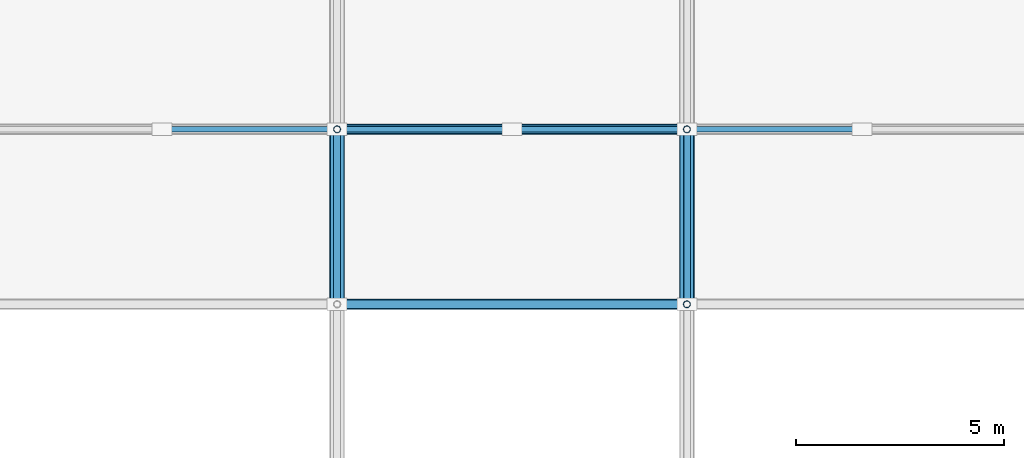
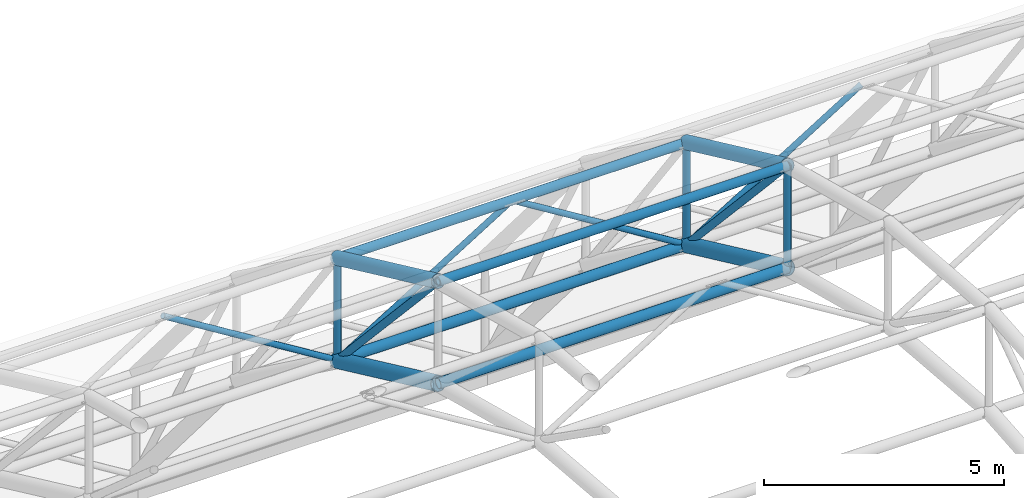
# One storey, part 36 of 103: 13 members, 4 beams.
"""IFC4 building model written with IfcOpenShell, lengths in metres."""

from ifc_helpers import new_model, si_unit, direction, frame, origin, origin_2d, place, context, subcontext, project, spatial, hollow_circle, extrude, material, material_profile, profile_set, type_object, element, save


model = new_model("IFC4")

# Units and contexts
model_context = context("Model", 3, precision=1e-05, world=origin(), true_north=direction((0.0, 1.0)))
body_context = subcontext(model_context, "Body", "Model", "MODEL_VIEW")
ifc_project = project(units=[si_unit("LENGTHUNIT", "METRE"), si_unit("AREAUNIT", "SQUARE_METRE"), si_unit("VOLUMEUNIT", "CUBIC_METRE"), si_unit("PLANEANGLEUNIT", "RADIAN"), si_unit("MASSUNIT", "GRAM", prefix="KILO")], contexts=[model_context])

# Site, building, storey
site_placement = place(None, origin())
site = spatial("IfcSite", under=ifc_project, at=site_placement, CompositionType="ELEMENT")
building_placement = place(site_placement, origin())
building = spatial("IfcBuilding", under=site, at=building_placement, Name="Varnapada Polytechnic", CompositionType="ELEMENT")
storey_placement = place(building_placement, frame((0.0, 0.0, 18.0)))
storey = spatial("IfcBuildingStorey", under=building, at=storey_placement, Name="L04", CompositionType="ELEMENT", Elevation=18.0)

# Members
ifc_material = material(Name="Steel S355", Category="steel")
ifc_material_profile_1 = material_profile(ifc_material, hollow_circle(Radius=0.122314453125, WallThickness=0.008056640625, at=origin_2d()), Name="CHS 244.5x8.0")
ifc_profile_set_1 = profile_set([ifc_material_profile_1], Name="Steel S355")
member_type_1 = type_object("IfcMemberType", Name="Vaulted space frame longitudinal bottom chord SFC-01 (CHS 244.5x8.0)", PredefinedType="CHORD", material=ifc_profile_set_1)
for number, where, z_axis, x_axis, name in (
    (1, (67.199951171875, 113.39990234375, 9.98193359375), (1.0, 0.0, 0.0), (0.0, 1.0, 0.0), "Vaulted space frame longitudinal bottom chord 3.8"),
    (2, (67.199951171875, 117.60009765625, 8.02783203125), (1.0, 0.0, 0.0), (0.0, 1.0, 0.0), "Vaulted space frame longitudinal bottom chord 3.9"),
):
    element("IfcMember", number, at=place(storey_placement, frame(where, z_axis=z_axis, x_axis=x_axis)), inside=storey, type_object=member_type_1, Name=name, PredefinedType="CHORD", context=body_context, shape_type="SweptSolid", body=[
        extrude(hollow_circle(Radius=0.122314453125, WallThickness=0.008056640625, at=origin_2d()), origin(), (0.0, 0.0, 1.0), 8.400146484375),
    ])
ifc_material_profile_2 = material_profile(ifc_material, hollow_circle(Radius=0.109619140625, WallThickness=0.008056640625, at=origin_2d()), Name="CHS 219.1x8.0")
ifc_profile_set_2 = profile_set([ifc_material_profile_2], Name="Steel S355")
member_type_2 = type_object("IfcMemberType", Name="Vaulted space frame longitudinal top chord SFC-02 (CHS 219.1x8.0)", PredefinedType="CHORD", material=ifc_profile_set_2)
for number, where, z_axis, x_axis, name in (
    (3, (67.199951171875, 113.39990234375, 12.581787109375), (1.0, 0.0, 0.0), (0.0, 1.0, 0.0), "Vaulted space frame longitudinal top chord 3.8"),
    (4, (67.199951171875, 117.60009765625, 10.6279296875), (1.0, 0.0, 0.0), (0.0, 1.0, 0.0), "Vaulted space frame longitudinal top chord 3.9"),
):
    element("IfcMember", number, at=place(storey_placement, frame(where, z_axis=z_axis, x_axis=x_axis)), inside=storey, type_object=member_type_2, Name=name, PredefinedType="CHORD", context=body_context, shape_type="SweptSolid", body=[
        extrude(hollow_circle(Radius=0.109619140625, WallThickness=0.008056640625, at=origin_2d()), origin(), (0.0, 0.0, 1.0), 8.400146484375),
    ])

# Beams
ifc_material_profile_3 = material_profile(ifc_material, hollow_circle(Radius=0.177734375, WallThickness=0.012451171875, at=origin_2d()), Name="CHS 355.6x12.5")
ifc_profile_set_3 = profile_set([ifc_material_profile_3], Name="Steel S355")
beam_type_1 = type_object("IfcBeamType", Name="Vaulted space frame primary arch rib VA-01 (CHS 355.6x12.5)", PredefinedType="BEAM", material=ifc_profile_set_3)
for number, where, z_axis, x_axis, name in (
    (5, (67.199951171875, 113.39990234375, 9.98193359375), (0.0, 0.906677989805, -0.421823449802), (-1.0, 0.0, 0.0), "Vaulted space frame bottom arch chord 3.8"),
    (6, (75.60009765625, 113.39990234375, 9.98193359375), (0.0, 0.906677989805, -0.421823449802), (-1.0, 0.0, 0.0), "Vaulted space frame bottom arch chord 4.8"),
):
    element("IfcBeam", number, at=place(storey_placement, frame(where, z_axis=z_axis, x_axis=x_axis)), inside=storey, type_object=beam_type_1, Name=name, PredefinedType="BEAM", context=body_context, shape_type="SweptSolid", body=[
        extrude(hollow_circle(Radius=0.177734375, WallThickness=0.012451171875, at=origin_2d()), origin(), (0.0, 0.0, 1.0), 4.632568359375),
    ])

# Members
ifc_material_profile_4 = material_profile(ifc_material, hollow_circle(Radius=0.084228515625, WallThickness=0.00634765625, at=origin_2d()), Name="CHS 168.3x6.3")
ifc_profile_set_4 = profile_set([ifc_material_profile_4], Name="Steel S355")
member_type_3 = type_object("IfcMemberType", Name="Vaulted space frame primary web diagonal SFB-01 (CHS 168.3x6.3)", PredefinedType="BRACE", material=ifc_profile_set_4)
for number, where, z_axis, x_axis, name in (
    (7, (67.199951171875, 113.39990234375, 12.581787109375), (0.0, 0.677978881407, -0.735081380777), (-1.0, 0.0, 0.0), "Vaulted space frame web diagonal 3.8"),
    (8, (75.60009765625, 113.39990234375, 12.581787109375), (0.0, 0.677978881407, -0.735081380777), (-1.0, 0.0, 0.0), "Vaulted space frame web diagonal 4.8"),
):
    element("IfcMember", number, at=place(storey_placement, frame(where, z_axis=z_axis, x_axis=x_axis)), inside=storey, type_object=member_type_3, Name=name, PredefinedType="BRACE", context=body_context, shape_type="SweptSolid", body=[
        extrude(hollow_circle(Radius=0.084228515625, WallThickness=0.00634765625, at=origin_2d()), origin(), (0.0, 0.0, 1.0), 6.195068359375),
    ])
ifc_material_profile_5 = material_profile(ifc_material, hollow_circle(Radius=0.084228515625, WallThickness=0.00634765625, at=origin_2d()), Name="CHS 168.3x6.3")
ifc_profile_set_5 = profile_set([ifc_material_profile_5], Name="Steel S355")
member_type_4 = type_object("IfcMemberType", Name="Vaulted space frame radial web strut SFS-01 (CHS 168.3x6.3)", PredefinedType="STRUT", material=ifc_profile_set_5)
member_1_placement = place(storey_placement, frame((67.199951171875, 117.60009765625, 8.02783203125), z_axis=(0.0, 0.0, 1.0), x_axis=(1.0, 0.0, 0.0)))
element("IfcMember", 9, at=member_1_placement, inside=storey, type_object=member_type_4, Name="Vaulted space frame strut 3.9", PredefinedType="STRUT", context=body_context, shape_type="SweptSolid", body=[
    extrude(hollow_circle(Radius=0.084228515625, WallThickness=0.00634765625, at=origin_2d()), origin(), (0.0, 0.0, 1.0), 2.60009765625),
])
member_2_placement = place(storey_placement, frame((75.60009765625, 113.39990234375, 9.98193359375), z_axis=(0.0, 0.0, 1.0), x_axis=(1.0, 0.0, 0.0)))
element("IfcMember", 10, at=member_2_placement, inside=storey, type_object=member_type_4, Name="Vaulted space frame strut 4.8", PredefinedType="STRUT", context=body_context, shape_type="SweptSolid", body=[
    extrude(hollow_circle(Radius=0.084228515625, WallThickness=0.00634765625, at=origin_2d()), origin(), (0.0, 0.0, 1.0), 2.599853515625),
])
member_3_placement = place(storey_placement, frame((75.60009765625, 117.60009765625, 8.02783203125), z_axis=(0.0, 0.0, 1.0), x_axis=(1.0, 0.0, 0.0)))
element("IfcMember", 11, at=member_3_placement, inside=storey, type_object=member_type_4, Name="Vaulted space frame strut 4.9", PredefinedType="STRUT", context=body_context, shape_type="SweptSolid", body=[
    extrude(hollow_circle(Radius=0.084228515625, WallThickness=0.00634765625, at=origin_2d()), origin(), (0.0, 0.0, 1.0), 2.60009765625),
])
ifc_material_profile_6 = material_profile(ifc_material, hollow_circle(Radius=0.06982421875, WallThickness=0.0048828125, at=origin_2d()), Name="CHS 139.7x5.0")
ifc_profile_set_6 = profile_set([ifc_material_profile_6], Name="Steel S355")
member_type_5 = type_object("IfcMemberType", Name="Vaulted space frame secondary web diagonal SFB-02 (CHS 139.7x5.0)", PredefinedType="BRACE", material=ifc_profile_set_6)
for number, where, z_axis, x_axis, name in (
    (12, (67.199951171875, 117.60009765625, 8.02783203125), (-0.85025356003, 0.0, 0.526373331065), (0.0, -1.0, 0.0), "Vaulted space frame longitudinal brace 2.9B"),
    (13, (67.199951171875, 117.60009765625, 8.02783203125), (0.85025356003, 0.0, 0.526373331065), (0.0, 1.0, 0.0), "Vaulted space frame longitudinal brace 3.9A"),
):
    element("IfcMember", number, at=place(storey_placement, frame(where, z_axis=z_axis, x_axis=x_axis)), inside=storey, type_object=member_type_5, Name=name, PredefinedType="BRACE", context=body_context, shape_type="SweptSolid", body=[
        extrude(hollow_circle(Radius=0.06982421875, WallThickness=0.0048828125, at=origin_2d()), origin(), (0.0, 0.0, 1.0), 4.939697265625),
    ])
member_4_placement = place(storey_placement, frame((75.60009765625, 117.60009765625, 8.02783203125), z_axis=(-0.85026725322, 0.0, 0.526351211741), x_axis=(0.0, -1.0, 0.0)))
element("IfcMember", 14, at=member_4_placement, inside=storey, type_object=member_type_5, Name="Vaulted space frame longitudinal brace 3.9B", PredefinedType="BRACE", context=body_context, shape_type="SweptSolid", body=[
    extrude(hollow_circle(Radius=0.06982421875, WallThickness=0.0048828125, at=origin_2d()), origin(), (0.0, 0.0, 1.0), 4.93994140625),
])
member_5_placement = place(storey_placement, frame((75.60009765625, 117.60009765625, 8.02783203125), z_axis=(0.85025356003, 0.0, 0.526373331065), x_axis=(0.0, 1.0, 0.0)))
element("IfcMember", 15, at=member_5_placement, inside=storey, type_object=member_type_5, Name="Vaulted space frame longitudinal brace 4.9A", PredefinedType="BRACE", context=body_context, shape_type="SweptSolid", body=[
    extrude(hollow_circle(Radius=0.06982421875, WallThickness=0.0048828125, at=origin_2d()), origin(), (0.0, 0.0, 1.0), 4.939697265625),
])

# Beams
ifc_material_profile_7 = material_profile(ifc_material, hollow_circle(Radius=0.161865234375, WallThickness=0.010009765625, at=origin_2d()), Name="CHS 323.9x10.0")
ifc_profile_set_7 = profile_set([ifc_material_profile_7], Name="Steel S355")
beam_type_2 = type_object("IfcBeamType", Name="Vaulted space frame upper arch rib VA-02 (CHS 323.9x10.0)", PredefinedType="BEAM", material=ifc_profile_set_7)
for number, where, z_axis, x_axis, name in (
    (16, (67.199951171875, 113.39990234375, 12.581787109375), (0.0, 0.906698145361, -0.421780124234), (-1.0, 0.0, 0.0), "Vaulted space frame top arch chord 3.8"),
    (17, (75.60009765625, 113.39990234375, 12.581787109375), (0.0, 0.906698145361, -0.421780124234), (-1.0, 0.0, 0.0), "Vaulted space frame top arch chord 4.8"),
):
    element("IfcBeam", number, at=place(storey_placement, frame(where, z_axis=z_axis, x_axis=x_axis)), inside=storey, type_object=beam_type_2, Name=name, PredefinedType="BEAM", context=body_context, shape_type="SweptSolid", body=[
        extrude(hollow_circle(Radius=0.161865234375, WallThickness=0.010009765625, at=origin_2d()), origin(), (0.0, 0.0, 1.0), 4.63232421875),
    ])

save(model, "model.ifc")
